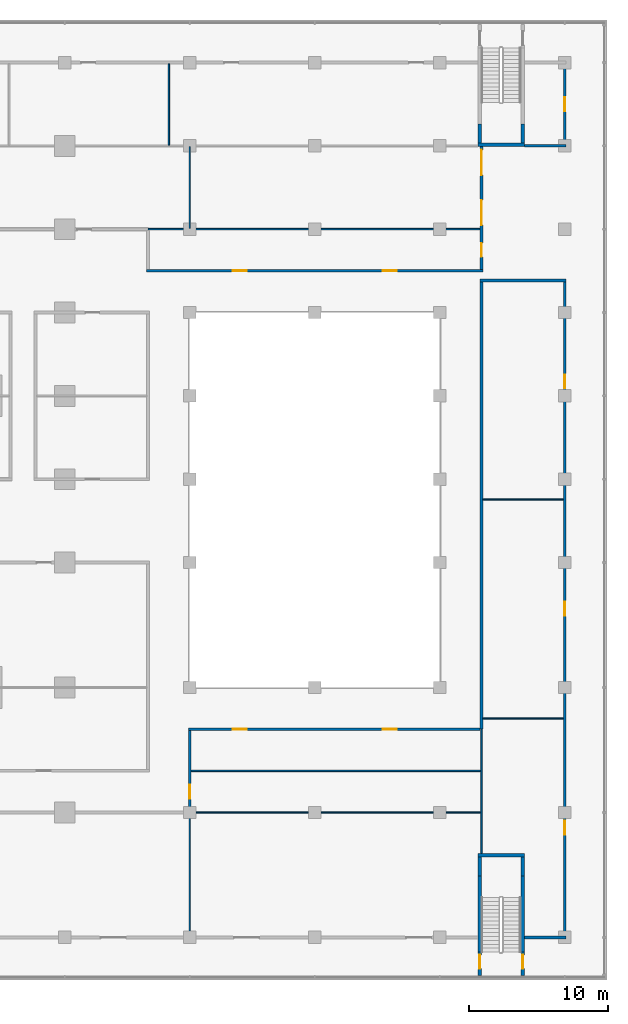
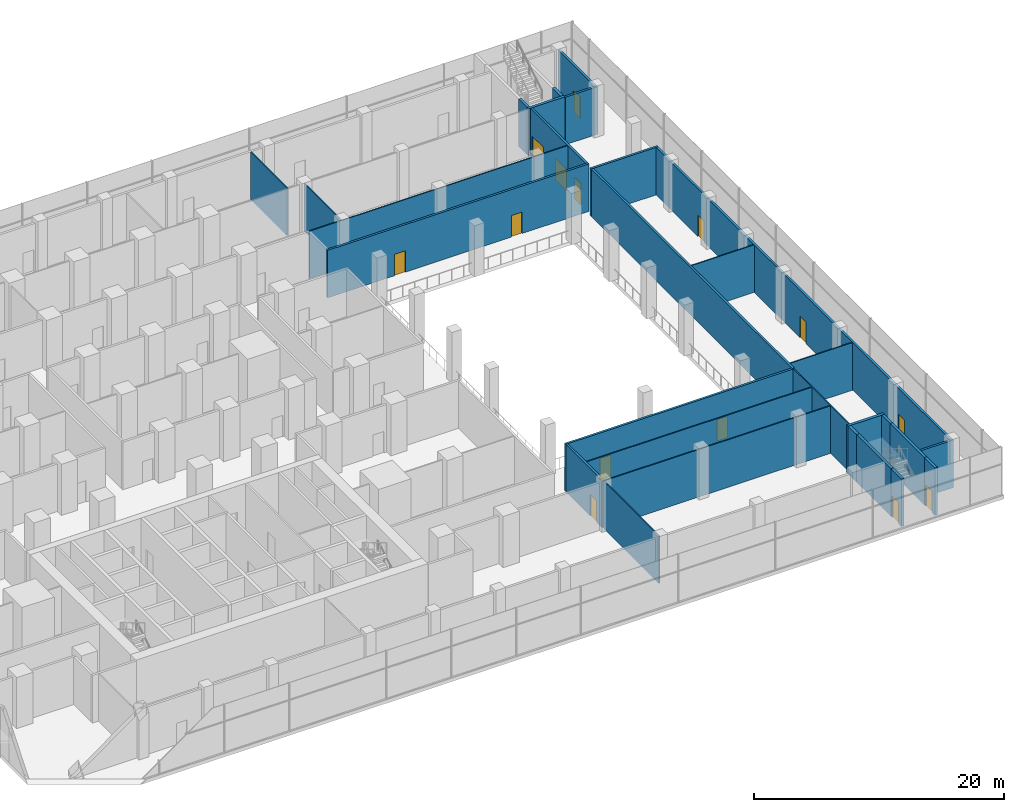
# One storey, part 17 of 22: 29 walls, 14 doors, 14 openings.
"""IFC4 building model written with IfcOpenShell, lengths in metres."""

from ifc_helpers import new_model, si_unit, direction, frame, frame_2d, origin, place, context, subcontext, project, spatial, rectangle, extrude, material, layer, layer_set, type_object, element, fill, save


model = new_model("IFC4")

# Units and contexts
model_context = context("Model", 3, precision=1e-05, world=origin(), true_north=direction((0.0, 1.0)))
body_context = subcontext(model_context, "Body", "Model", "MODEL_VIEW")
ifc_project = project(units=[si_unit("LENGTHUNIT", "METRE"), si_unit("AREAUNIT", "SQUARE_METRE"), si_unit("VOLUMEUNIT", "CUBIC_METRE"), si_unit("PLANEANGLEUNIT", "RADIAN"), si_unit("MASSUNIT", "GRAM", prefix="KILO")], contexts=[model_context])

# Site, building, storey
site_placement = place(None, origin())
site = spatial("IfcSite", under=ifc_project, at=site_placement, CompositionType="ELEMENT")
building_placement = place(site_placement, origin())
building = spatial("IfcBuilding", under=site, at=building_placement, Name="Finial Court Residences", CompositionType="ELEMENT")
storey_placement = place(building_placement, frame((0.0, 0.0, 18.5)))
storey = spatial("IfcBuildingStorey", under=building, at=storey_placement, Name="L03", CompositionType="ELEMENT", Elevation=18.5)

# Wall
ifc_material_1 = material(Name="Gypsum board")
ifc_layer_1 = layer(ifc_material_1, 0.02490234375)
ifc_material_2 = material(Name="Acoustic mineral wool in double frame")
ifc_layer_2 = layer(ifc_material_2, 0.14990234375)
ifc_layer_3 = layer(ifc_material_1, 0.02490234375)
ifc_layer_set_1 = layer_set([ifc_layer_1, ifc_layer_2, ifc_layer_3], Name="Corridor wall 200, 1 hour")
wall_type_1 = type_object("IfcWallType", Name="Corridor wall 200, 1 hour", PredefinedType="PARTITIONING", material=ifc_layer_set_1)
wall_1_placement = place(storey_placement, frame((55.60009765625, -31.5, 0.0), z_axis=(0.0, 0.0, 1.0), x_axis=(1.0, 0.0, 0.0)))
element("IfcWall", 1, at=wall_1_placement, inside=storey, type_object=wall_type_1, Name="Partition L03-002", PredefinedType="PARTITIONING", context=body_context, shape_type="SweptSolid", body=[
    extrude(rectangle(XDim=3.0, YDim=0.199951171875, at=frame_2d((1.5, 0.0))), origin(), (0.0, 0.0, 1.0), 4.64990234375),
])

# Wall, openings, doors
wall_2_placement = place(storey_placement, frame((31.39990234375, -16.5, 0.0), z_axis=(0.0, 0.0, 1.0), x_axis=(1.0, 0.0, 0.0)))
wall_2 = element("IfcWall", 2, at=wall_2_placement, inside=storey, type_object=wall_type_1, Name="Partition L03-011", PredefinedType="PARTITIONING", context=body_context, shape_type="SweptSolid", body=[
    extrude(rectangle(XDim=21.0, YDim=0.199951171875, at=frame_2d((10.5, 0.0))), origin(), (0.0, 0.0, 1.0), 4.64990234375),
])
opening_1_placement = place(wall_2_placement, frame((3.199951171875, 0.0, 0.0)))
opening_1 = element("IfcOpeningElement", 3, at=opening_1_placement, cuts=wall_2, Name="Opening L03-D011", PredefinedType="OPENING", context=body_context, shape_type="SweptSolid", body=[
    extrude(rectangle(XDim=1.0, YDim=2.10009765625, at=frame_2d((0.5, 1.050048828125))), frame((0.0, 0.10986328125, 0.0), z_axis=(0.0, -1.0, 0.0), x_axis=(1.0, 0.0, 0.0)), (0.0, 0.0, 1.0), 0.219970703125),
])
opening_2_placement = place(wall_2_placement, frame((14.0, 0.0, 0.0)))
opening_2 = element("IfcOpeningElement", 4, at=opening_2_placement, cuts=wall_2, Name="Opening L03-D012", PredefinedType="OPENING", context=body_context, shape_type="SweptSolid", body=[
    extrude(rectangle(XDim=1.0, YDim=2.10009765625, at=frame_2d((0.5, 1.050048828125))), frame((0.0, 0.10986328125, 0.0), z_axis=(0.0, -1.0, 0.0), x_axis=(1.0, 0.0, 0.0)), (0.0, 0.0, 1.0), 0.219970703125),
])
ifc_material_3 = material(Name="Timber door leaf in hollow metal frame", Category="wood")
door_type_1 = type_object("IfcDoorType", Name="Fire door set 1000 x 2100, 30 minutes", OperationType="SINGLE_SWING_LEFT", PredefinedType="DOOR", material=ifc_material_3)
door_1_placement = place(opening_1_placement, origin())
door_1 = element("IfcDoor", 5, at=door_1_placement, inside=storey, type_object=door_type_1, Name="Door L03-D011", OperationType="SINGLE_SWING_LEFT", OverallHeight=2.10009765625, OverallWidth=1.0, PredefinedType="DOOR", context=body_context, shape_type="SweptSolid", body=[
    extrude(rectangle(XDim=1.0, YDim=2.10009765625, at=frame_2d((0.5, 1.050048828125))), frame((0.0, 0.02490234375, 0.0), z_axis=(0.0, -1.0, 0.0), x_axis=(1.0, 0.0, 0.0)), (0.0, 0.0, 1.0), 0.050048828125),
])
fill(opening_1, door_1)
door_2_placement = place(opening_2_placement, origin())
door_2 = element("IfcDoor", 6, at=door_2_placement, inside=storey, type_object=door_type_1, Name="Door L03-D012", OperationType="SINGLE_SWING_RIGHT", OverallHeight=2.10009765625, OverallWidth=1.0, PredefinedType="DOOR", context=body_context, shape_type="SweptSolid", body=[
    extrude(rectangle(XDim=1.0, YDim=2.10009765625, at=frame_2d((0.5, 1.050048828125))), frame((0.0, 0.02490234375, 0.0), z_axis=(0.0, -1.0, 0.0), x_axis=(1.0, 0.0, 0.0)), (0.0, 0.0, 1.0), 0.050048828125),
])
fill(opening_2, door_2)

# Wall
wall_3_placement = place(storey_placement, frame((52.39990234375, 15.800048828125, 0.0), z_axis=(0.0, 0.0, 1.0), x_axis=(1.0, 0.0, 0.0)))
element("IfcWall", 7, at=wall_3_placement, inside=storey, type_object=wall_type_1, Name="Partition L03-030", PredefinedType="PARTITIONING", context=body_context, shape_type="SweptSolid", body=[
    extrude(rectangle(XDim=6.2001953125, YDim=0.199951171875, at=frame_2d((3.10009765625, 0.0))), origin(), (0.0, 0.0, 1.0), 4.64990234375),
])

# Wall, openings, doors
wall_4_placement = place(storey_placement, frame((28.39990234375, 16.5, 0.0), z_axis=(0.0, 0.0, 1.0), x_axis=(1.0, 0.0, 0.0)))
wall_4 = element("IfcWall", 8, at=wall_4_placement, inside=storey, type_object=wall_type_1, Name="Partition L03-031", PredefinedType="PARTITIONING", context=body_context, shape_type="SweptSolid", body=[
    extrude(rectangle(XDim=24.2001953125, YDim=0.199951171875, at=frame_2d((12.10009765625, 0.0))), origin(), (0.0, 0.0, 1.0), 4.64990234375),
])
opening_3_placement = place(wall_4_placement, frame((6.199951171875, 0.0, 0.0)))
opening_3 = element("IfcOpeningElement", 9, at=opening_3_placement, cuts=wall_4, Name="Opening L03-D028", PredefinedType="OPENING", context=body_context, shape_type="SweptSolid", body=[
    extrude(rectangle(XDim=1.0, YDim=2.10009765625, at=frame_2d((0.5, 1.050048828125))), frame((0.0, 0.10986328125, 0.0), z_axis=(0.0, -1.0, 0.0), x_axis=(1.0, 0.0, 0.0)), (0.0, 0.0, 1.0), 0.219970703125),
])
opening_4_placement = place(wall_4_placement, frame((17.0, 0.0, 0.0)))
opening_4 = element("IfcOpeningElement", 10, at=opening_4_placement, cuts=wall_4, Name="Opening L03-D029", PredefinedType="OPENING", context=body_context, shape_type="SweptSolid", body=[
    extrude(rectangle(XDim=1.0, YDim=2.10009765625, at=frame_2d((0.5, 1.050048828125))), frame((0.0, 0.10986328125, 0.0), z_axis=(0.0, -1.0, 0.0), x_axis=(1.0, 0.0, 0.0)), (0.0, 0.0, 1.0), 0.219970703125),
])
door_3_placement = place(opening_3_placement, origin())
door_3 = element("IfcDoor", 11, at=door_3_placement, inside=storey, type_object=door_type_1, Name="Door L03-D028", OperationType="SINGLE_SWING_RIGHT", OverallHeight=2.10009765625, OverallWidth=1.0, PredefinedType="DOOR", context=body_context, shape_type="SweptSolid", body=[
    extrude(rectangle(XDim=1.0, YDim=2.10009765625, at=frame_2d((0.5, 1.050048828125))), frame((0.0, 0.02490234375, 0.0), z_axis=(0.0, -1.0, 0.0), x_axis=(1.0, 0.0, 0.0)), (0.0, 0.0, 1.0), 0.050048828125),
])
fill(opening_3, door_3)
door_4_placement = place(opening_4_placement, origin())
door_4 = element("IfcDoor", 12, at=door_4_placement, inside=storey, type_object=door_type_1, Name="Door L03-D029", OperationType="SINGLE_SWING_LEFT", OverallHeight=2.10009765625, OverallWidth=1.0, PredefinedType="DOOR", context=body_context, shape_type="SweptSolid", body=[
    extrude(rectangle(XDim=1.0, YDim=2.10009765625, at=frame_2d((0.5, 1.050048828125))), frame((0.0, 0.02490234375, 0.0), z_axis=(0.0, -1.0, 0.0), x_axis=(1.0, 0.0, 0.0)), (0.0, 0.0, 1.0), 0.050048828125),
])
fill(opening_4, door_4)

# Wall
wall_5_placement = place(storey_placement, frame((55.60009765625, 25.5, 0.0), z_axis=(0.0, 0.0, 1.0), x_axis=(1.0, 0.0, 0.0)))
element("IfcWall", 13, at=wall_5_placement, inside=storey, type_object=wall_type_1, Name="Partition L03-034", PredefinedType="PARTITIONING", context=body_context, shape_type="SweptSolid", body=[
    extrude(rectangle(XDim=3.0, YDim=0.199951171875, at=frame_2d((1.5, 0.0))), origin(), (0.0, 0.0, 1.0), 4.64990234375),
])

# Wall, opening, door
wall_6_placement = place(storey_placement, frame((31.5, -22.39990234375, 0.0), z_axis=(0.0, 0.0, 1.0), x_axis=(0.0, 1.0, 0.0)))
wall_6 = element("IfcWall", 14, at=wall_6_placement, inside=storey, type_object=wall_type_1, Name="Partition L03-066", PredefinedType="PARTITIONING", context=body_context, shape_type="SweptSolid", body=[
    extrude(rectangle(XDim=5.7998046875, YDim=0.199951171875, at=frame_2d((2.89990234375, 0.0))), origin(), (0.0, 0.0, 1.0), 4.64990234375),
])
opening_5_placement = place(wall_6_placement, frame((0.89990234375, 0.0, 0.0)))
opening_5 = element("IfcOpeningElement", 15, at=opening_5_placement, cuts=wall_6, Name="Opening L03-D043", PredefinedType="OPENING", context=body_context, shape_type="SweptSolid", body=[
    extrude(rectangle(XDim=1.0, YDim=2.10009765625, at=frame_2d((0.5, 1.050048828125))), frame((0.0, 0.10986328125, 0.0), z_axis=(0.0, -1.0, 0.0), x_axis=(1.0, 0.0, 0.0)), (0.0, 0.0, 1.0), 0.219970703125),
])
door_5_placement = place(opening_5_placement, origin())
door_5 = element("IfcDoor", 16, at=door_5_placement, inside=storey, type_object=door_type_1, Name="Door L03-D043", OperationType="SINGLE_SWING_LEFT", OverallHeight=2.10009765625, OverallWidth=1.0, PredefinedType="DOOR", context=body_context, shape_type="SweptSolid", body=[
    extrude(rectangle(XDim=1.0, YDim=2.10009765625, at=frame_2d((0.5, 1.050048828125))), frame((0.0, 0.02490234375, 0.0), z_axis=(0.0, -1.0, 0.0), x_axis=(1.0, 0.0, 0.0)), (0.0, 0.0, 1.0), 0.050048828125),
])
fill(opening_5, door_5)

# Wall
wall_7_placement = place(storey_placement, frame((52.5, -16.5, 0.0), z_axis=(0.0, 0.0, 1.0), x_axis=(0.0, 1.0, 0.0)))
element("IfcWall", 17, at=wall_7_placement, inside=storey, type_object=wall_type_1, Name="Partition L03-069", PredefinedType="PARTITIONING", context=body_context, shape_type="SweptSolid", body=[
    extrude(rectangle(XDim=32.199951171875, YDim=0.199951171875, at=frame_2d((16.10009765625, 0.0))), origin(), (0.0, 0.0, 1.0), 4.64990234375),
])

# Wall, openings, doors
wall_8_placement = place(storey_placement, frame((52.5, 16.60009765625, 0.0), z_axis=(0.0, 0.0, 1.0), x_axis=(0.0, 1.0, 0.0)))
wall_8 = element("IfcWall", 18, at=wall_8_placement, inside=storey, type_object=wall_type_1, Name="Partition L03-070", PredefinedType="PARTITIONING", context=body_context, shape_type="SweptSolid", body=[
    extrude(rectangle(XDim=8.869873046875, YDim=0.199951171875, at=frame_2d((4.43505859375, 0.0))), origin(), (0.0, 0.0, 1.0), 4.64990234375),
])
opening_6_placement = place(wall_8_placement, frame((0.89990234375, 0.0, 0.0)))
opening_6 = element("IfcOpeningElement", 19, at=opening_6_placement, cuts=wall_8, Name="Opening L03-D044", PredefinedType="OPENING", context=body_context, shape_type="SweptSolid", body=[
    extrude(rectangle(XDim=1.0, YDim=2.10009765625, at=frame_2d((0.5, 1.050048828125))), frame((0.0, 0.10986328125, 0.0), z_axis=(0.0, -1.0, 0.0), x_axis=(1.0, 0.0, 0.0)), (0.0, 0.0, 1.0), 0.219970703125),
])
opening_7_placement = place(wall_8_placement, frame((3.199951171875, 0.0, 0.0)))
opening_7 = element("IfcOpeningElement", 20, at=opening_7_placement, cuts=wall_8, Name="Opening L03-D045", PredefinedType="OPENING", context=body_context, shape_type="SweptSolid", body=[
    extrude(rectangle(XDim=1.800048828125, YDim=2.10009765625, at=frame_2d((0.89990234375, 1.050048828125))), frame((0.0, 0.10986328125, 0.0), z_axis=(0.0, -1.0, 0.0), x_axis=(1.0, 0.0, 0.0)), (0.0, 0.0, 1.0), 0.219970703125),
])
opening_8_placement = place(wall_8_placement, frame((6.800048828125, 0.0, 0.0)))
opening_8 = element("IfcOpeningElement", 21, at=opening_8_placement, cuts=wall_8, Name="Opening L03-D046", PredefinedType="OPENING", context=body_context, shape_type="SweptSolid", body=[
    extrude(rectangle(XDim=1.800048828125, YDim=2.10009765625, at=frame_2d((0.89990234375, 1.050048828125))), frame((0.0, 0.10986328125, 0.0), z_axis=(0.0, -1.0, 0.0), x_axis=(1.0, 0.0, 0.0)), (0.0, 0.0, 1.0), 0.219970703125),
])
door_6_placement = place(opening_6_placement, origin())
door_6 = element("IfcDoor", 22, at=door_6_placement, inside=storey, type_object=door_type_1, Name="Door L03-D044", OperationType="SINGLE_SWING_RIGHT", OverallHeight=2.10009765625, OverallWidth=1.0, PredefinedType="DOOR", context=body_context, shape_type="SweptSolid", body=[
    extrude(rectangle(XDim=1.0, YDim=2.10009765625, at=frame_2d((0.5, 1.050048828125))), frame((0.0, 0.02490234375, 0.0), z_axis=(0.0, -1.0, 0.0), x_axis=(1.0, 0.0, 0.0)), (0.0, 0.0, 1.0), 0.050048828125),
])
fill(opening_6, door_6)
door_type_2 = type_object("IfcDoorType", Name="Fire door set 1800 x 2100, 30 minutes", OperationType="DOUBLE_DOOR_SINGLE_SWING", PredefinedType="DOOR", material=ifc_material_3)
door_7_placement = place(opening_7_placement, origin())
door_7 = element("IfcDoor", 23, at=door_7_placement, inside=storey, type_object=door_type_2, Name="Door L03-D045", OperationType="DOUBLE_DOOR_SINGLE_SWING", OverallHeight=2.10009765625, OverallWidth=1.800048828125, PredefinedType="DOOR", context=body_context, shape_type="SweptSolid", body=[
    extrude(rectangle(XDim=1.800048828125, YDim=2.10009765625, at=frame_2d((0.89990234375, 1.050048828125))), frame((0.0, 0.02490234375, 0.0), z_axis=(0.0, -1.0, 0.0), x_axis=(1.0, 0.0, 0.0)), (0.0, 0.0, 1.0), 0.050048828125),
])
fill(opening_7, door_7)
door_8_placement = place(opening_8_placement, origin())
door_8 = element("IfcDoor", 24, at=door_8_placement, inside=storey, type_object=door_type_2, Name="Door L03-D046", OperationType="DOUBLE_DOOR_SINGLE_SWING", OverallHeight=2.10009765625, OverallWidth=1.800048828125, PredefinedType="DOOR", context=body_context, shape_type="SweptSolid", body=[
    extrude(rectangle(XDim=1.800048828125, YDim=2.10009765625, at=frame_2d((0.89990234375, 1.050048828125))), frame((0.0, 0.02490234375, 0.0), z_axis=(0.0, -1.0, 0.0), x_axis=(1.0, 0.0, 0.0)), (0.0, 0.0, 1.0), 0.050048828125),
])
fill(opening_8, door_8)

wall_9_placement = place(storey_placement, frame((58.5, -31.39990234375, 0.0), z_axis=(0.0, 0.0, 1.0), x_axis=(0.0, 1.0, 0.0)))
wall_9 = element("IfcWall", 25, at=wall_9_placement, inside=storey, type_object=wall_type_1, Name="Partition L03-072", PredefinedType="PARTITIONING", context=body_context, shape_type="SweptSolid", body=[
    extrude(rectangle(XDim=47.099853515625, YDim=0.199951171875, at=frame_2d((23.5498046875, 0.0))), origin(), (0.0, 0.0, 1.0), 4.64990234375),
])
opening_9_placement = place(wall_9_placement, frame((7.300048828125, 0.0, 0.0)))
opening_9 = element("IfcOpeningElement", 26, at=opening_9_placement, cuts=wall_9, Name="Opening L03-D047", PredefinedType="OPENING", context=body_context, shape_type="SweptSolid", body=[
    extrude(rectangle(XDim=1.0, YDim=2.10009765625, at=frame_2d((0.5, 1.050048828125))), frame((0.0, 0.10986328125, 0.0), z_axis=(0.0, -1.0, 0.0), x_axis=(1.0, 0.0, 0.0)), (0.0, 0.0, 1.0), 0.219970703125),
])
opening_10_placement = place(wall_9_placement, frame((23.06689453125, 0.0, 0.0)))
opening_10 = element("IfcOpeningElement", 27, at=opening_10_placement, cuts=wall_9, Name="Opening L03-D048", PredefinedType="OPENING", context=body_context, shape_type="SweptSolid", body=[
    extrude(rectangle(XDim=1.0, YDim=2.10009765625, at=frame_2d((0.5, 1.050048828125))), frame((0.0, 0.10986328125, 0.0), z_axis=(0.0, -1.0, 0.0), x_axis=(1.0, 0.0, 0.0)), (0.0, 0.0, 1.0), 0.219970703125),
])
opening_11_placement = place(wall_9_placement, frame((39.43310546875, 0.0, 0.0)))
opening_11 = element("IfcOpeningElement", 28, at=opening_11_placement, cuts=wall_9, Name="Opening L03-D049", PredefinedType="OPENING", context=body_context, shape_type="SweptSolid", body=[
    extrude(rectangle(XDim=1.0, YDim=2.10009765625, at=frame_2d((0.5, 1.050048828125))), frame((0.0, 0.10986328125, 0.0), z_axis=(0.0, -1.0, 0.0), x_axis=(1.0, 0.0, 0.0)), (0.0, 0.0, 1.0), 0.219970703125),
])
door_9_placement = place(opening_9_placement, origin())
door_9 = element("IfcDoor", 29, at=door_9_placement, inside=storey, type_object=door_type_1, Name="Door L03-D047", OperationType="SINGLE_SWING_RIGHT", OverallHeight=2.10009765625, OverallWidth=1.0, PredefinedType="DOOR", context=body_context, shape_type="SweptSolid", body=[
    extrude(rectangle(XDim=1.0, YDim=2.10009765625, at=frame_2d((0.5, 1.050048828125))), frame((0.0, 0.02490234375, 0.0), z_axis=(0.0, -1.0, 0.0), x_axis=(1.0, 0.0, 0.0)), (0.0, 0.0, 1.0), 0.050048828125),
])
fill(opening_9, door_9)
door_10_placement = place(opening_10_placement, origin())
door_10 = element("IfcDoor", 30, at=door_10_placement, inside=storey, type_object=door_type_1, Name="Door L03-D048", OperationType="SINGLE_SWING_RIGHT", OverallHeight=2.10009765625, OverallWidth=1.0, PredefinedType="DOOR", context=body_context, shape_type="SweptSolid", body=[
    extrude(rectangle(XDim=1.0, YDim=2.10009765625, at=frame_2d((0.5, 1.050048828125))), frame((0.0, 0.02490234375, 0.0), z_axis=(0.0, -1.0, 0.0), x_axis=(1.0, 0.0, 0.0)), (0.0, 0.0, 1.0), 0.050048828125),
])
fill(opening_10, door_10)
door_11_placement = place(opening_11_placement, origin())
door_11 = element("IfcDoor", 31, at=door_11_placement, inside=storey, type_object=door_type_1, Name="Door L03-D049", OperationType="SINGLE_SWING_LEFT", OverallHeight=2.10009765625, OverallWidth=1.0, PredefinedType="DOOR", context=body_context, shape_type="SweptSolid", body=[
    extrude(rectangle(XDim=1.0, YDim=2.10009765625, at=frame_2d((0.5, 1.050048828125))), frame((0.0, 0.02490234375, 0.0), z_axis=(0.0, -1.0, 0.0), x_axis=(1.0, 0.0, 0.0)), (0.0, 0.0, 1.0), 0.050048828125),
])
fill(opening_11, door_11)

# Wall, opening, door
wall_10_placement = place(storey_placement, frame((58.5, 25.60009765625, 0.0), z_axis=(0.0, 0.0, 1.0), x_axis=(0.0, 1.0, 0.0)))
wall_10 = element("IfcWall", 32, at=wall_10_placement, inside=storey, type_object=wall_type_1, Name="Partition L03-073", PredefinedType="PARTITIONING", context=body_context, shape_type="SweptSolid", body=[
    extrude(rectangle(XDim=5.7998046875, YDim=0.199951171875, at=frame_2d((2.89990234375, 0.0))), origin(), (0.0, 0.0, 1.0), 4.64990234375),
])
opening_12_placement = place(wall_10_placement, frame((2.39990234375, 0.0, 0.0)))
opening_12 = element("IfcOpeningElement", 33, at=opening_12_placement, cuts=wall_10, Name="Opening L03-D050", PredefinedType="OPENING", context=body_context, shape_type="SweptSolid", body=[
    extrude(rectangle(XDim=1.0, YDim=2.10009765625, at=frame_2d((0.5, 1.050048828125))), frame((0.0, 0.10986328125, 0.0), z_axis=(0.0, -1.0, 0.0), x_axis=(1.0, 0.0, 0.0)), (0.0, 0.0, 1.0), 0.219970703125),
])
door_12_placement = place(opening_12_placement, origin())
door_12 = element("IfcDoor", 34, at=door_12_placement, inside=storey, type_object=door_type_1, Name="Door L03-D050", OperationType="SINGLE_SWING_LEFT", OverallHeight=2.10009765625, OverallWidth=1.0, PredefinedType="DOOR", context=body_context, shape_type="SweptSolid", body=[
    extrude(rectangle(XDim=1.0, YDim=2.10009765625, at=frame_2d((0.5, 1.050048828125))), frame((0.0, 0.02490234375, 0.0), z_axis=(0.0, -1.0, 0.0), x_axis=(1.0, 0.0, 0.0)), (0.0, 0.0, 1.0), 0.050048828125),
])
fill(opening_12, door_12)

# Walls
ifc_layer_4 = layer(ifc_material_1, 0.012451171875)
ifc_material_4 = material(Name="Mineral wool in light-gauge frame")
ifc_layer_5 = layer(ifc_material_4, 0.074951171875)
ifc_layer_6 = layer(ifc_material_1, 0.012451171875)
ifc_layer_set_2 = layer_set([ifc_layer_4, ifc_layer_5, ifc_layer_6], Name="Gypsum board partition 100")
wall_type_2 = type_object("IfcWallType", Name="Gypsum board partition 100", PredefinedType="PARTITIONING", material=ifc_layer_set_2)
wall_11_placement = place(storey_placement, frame((31.5, -22.5, 0.0), z_axis=(0.0, 0.0, 1.0), x_axis=(1.0, 0.0, 0.0)))
element("IfcWall", 35, at=wall_11_placement, inside=storey, type_object=wall_type_2, Name="Partition L03-007", PredefinedType="PARTITIONING", context=body_context, shape_type="SweptSolid", body=[
    extrude(rectangle(XDim=20.949951171875, YDim=0.10009765625, at=frame_2d((10.47509765625, 0.0))), origin(), (0.0, 0.0, 1.0), 4.64990234375),
])
wall_12_placement = place(storey_placement, frame((31.60009765625, -19.5, 0.0), z_axis=(0.0, 0.0, 1.0), x_axis=(1.0, 0.0, 0.0)))
element("IfcWall", 36, at=wall_12_placement, inside=storey, type_object=wall_type_2, Name="Partition L03-010", PredefinedType="PARTITIONING", context=body_context, shape_type="SweptSolid", body=[
    extrude(rectangle(XDim=20.849853515625, YDim=0.10009765625, at=frame_2d((10.4248046875, 0.0))), origin(), (0.0, 0.0, 1.0), 4.64990234375),
])
for number, where, z_axis, x_axis, name in (
    (37, (52.60009765625, -15.73291015625, 0.0), (0.0, 0.0, 1.0), (1.0, 0.0, 0.0), "Partition L03-012"),
    (38, (52.60009765625, 0.032958984375, 0.0), (0.0, 0.0, 1.0), (1.0, 0.0, 0.0), "Partition L03-017"),
):
    element("IfcWall", number, at=place(storey_placement, frame(where, z_axis=z_axis, x_axis=x_axis)), inside=storey, type_object=wall_type_2, Name=name, PredefinedType="PARTITIONING", context=body_context, shape_type="SweptSolid", body=[
        extrude(rectangle(XDim=5.7998046875, YDim=0.10009765625, at=frame_2d((2.89990234375, 0.0))), origin(), (0.0, 0.0, 1.0), 4.64990234375),
    ])
wall_13_placement = place(storey_placement, frame((28.5, 19.5, 0.0), z_axis=(0.0, 0.0, 1.0), x_axis=(1.0, 0.0, 0.0)))
element("IfcWall", 39, at=wall_13_placement, inside=storey, type_object=wall_type_2, Name="Partition L03-033", PredefinedType="PARTITIONING", context=body_context, shape_type="SweptSolid", body=[
    extrude(rectangle(XDim=23.89990234375, YDim=0.10009765625, at=frame_2d((11.949951171875, 0.0))), origin(), (0.0, 0.0, 1.0), 4.64990234375),
])
wall_14_placement = place(storey_placement, frame((30.0, 25.550048828125, 0.0), z_axis=(0.0, 0.0, 1.0), x_axis=(0.0, 1.0, 0.0)))
element("IfcWall", 40, at=wall_14_placement, inside=storey, type_object=wall_type_2, Name="Partition L03-065", PredefinedType="PARTITIONING", context=body_context, shape_type="SweptSolid", body=[
    extrude(rectangle(XDim=5.849853515625, YDim=0.10009765625, at=frame_2d((2.9248046875, 0.0))), origin(), (0.0, 0.0, 1.0), 4.64990234375),
])
wall_15_placement = place(storey_placement, frame((31.5, -31.39990234375, 0.0), z_axis=(0.0, 0.0, 1.0), x_axis=(0.0, 1.0, 0.0)))
element("IfcWall", 41, at=wall_15_placement, inside=storey, type_object=wall_type_2, Name="Partition L03-067", PredefinedType="PARTITIONING", context=body_context, shape_type="SweptSolid", body=[
    extrude(rectangle(XDim=8.7998046875, YDim=0.10009765625, at=frame_2d((4.39990234375, 0.0))), origin(), (0.0, 0.0, 1.0), 4.64990234375),
])
wall_16_placement = place(storey_placement, frame((31.5, 19.550048828125, 0.0), z_axis=(0.0, 0.0, 1.0), x_axis=(0.0, 1.0, 0.0)))
element("IfcWall", 42, at=wall_16_placement, inside=storey, type_object=wall_type_2, Name="Partition L03-068", PredefinedType="PARTITIONING", context=body_context, shape_type="SweptSolid", body=[
    extrude(rectangle(XDim=5.89990234375, YDim=0.10009765625, at=frame_2d((2.949951171875, 0.0))), origin(), (0.0, 0.0, 1.0), 4.64990234375),
])
wall_17_placement = place(storey_placement, frame((52.5, -25.469970703125, 0.0), z_axis=(0.0, 0.0, 1.0), x_axis=(0.0, 1.0, 0.0)))
element("IfcWall", 43, at=wall_17_placement, inside=storey, type_object=wall_type_2, Name="Partition L03-071", PredefinedType="PARTITIONING", context=body_context, shape_type="SweptSolid", body=[
    extrude(rectangle(XDim=8.969970703125, YDim=0.10009765625, at=frame_2d((4.48486328125, 0.0))), origin(), (0.0, 0.0, 1.0), 4.64990234375),
])

# Wall, opening, door
ifc_material_5 = material(Name="Concrete C50/60", Category="concrete")
ifc_layer_7 = layer(ifc_material_5, 0.25)
ifc_layer_set_3 = layer_set([ifc_layer_7], Name="Stair enclosure wall 250 Concrete C50/60")
wall_type_3 = type_object("IfcWallType", Name="Stair enclosure wall 250 Concrete C50/60", PredefinedType="SHEAR", material=ifc_layer_set_3)
wall_18_placement = place(storey_placement, frame((52.375, -32.550048828125, 0.0), z_axis=(0.0, 0.0, 1.0), x_axis=(0.0, -1.0, 0.0)))
wall_18 = element("IfcWall", 44, at=wall_18_placement, inside=storey, type_object=wall_type_3, Name="Exit Stair 3 enclosure wall L03-W1", PredefinedType="SHEAR", context=body_context, shape_type="SweptSolid", body=[
    extrude(rectangle(XDim=1.68994140625, YDim=0.25, at=frame_2d((0.844970703125, 0.0))), origin(), (0.0, 0.0, 1.0), 4.64990234375),
])
opening_13_placement = place(wall_18_placement, frame((0.199951171875, 0.0, 0.0)))
opening_13 = element("IfcOpeningElement", 45, at=opening_13_placement, cuts=wall_18, Name="Opening L03-S3", PredefinedType="OPENING", context=body_context, shape_type="SweptSolid", body=[
    extrude(rectangle(XDim=1.0, YDim=2.10009765625, at=frame_2d((0.5, 1.050048828125))), frame((0.0, 0.135009765625, 0.0), z_axis=(0.0, -1.0, 0.0), x_axis=(1.0, 0.0, 0.0)), (0.0, 0.0, 1.0), 0.27001953125),
])
ifc_material_6 = material(Name="Steel fire door", Category="steel")
door_type_3 = type_object("IfcDoorType", Name="Stair door 1000 x 2100 EI 90", OperationType="NOTDEFINED", PredefinedType="DOOR", material=ifc_material_6)
door_13_placement = place(opening_13_placement, origin())
door_13 = element("IfcDoor", 46, at=door_13_placement, inside=storey, type_object=door_type_3, Name="Exit Stair 3 door L03", OperationType="SINGLE_SWING_RIGHT", OverallHeight=2.10009765625, OverallWidth=1.0, PredefinedType="DOOR", context=body_context, shape_type="SweptSolid", body=[
    extrude(rectangle(XDim=1.0, YDim=2.10009765625, at=frame_2d((0.5, 1.050048828125))), frame((0.0, 0.02490234375, 0.0), z_axis=(0.0, -1.0, 0.0), x_axis=(1.0, 0.0, 0.0)), (0.0, 0.0, 1.0), 0.050048828125),
])
fill(opening_13, door_13)

# Walls
wall_19_placement = place(storey_placement, frame((52.375, -32.550048828125, 0.0), z_axis=(0.0, 0.0, 1.0), x_axis=(0.0, 1.0, 0.0)))
element("IfcWall", 47, at=wall_19_placement, inside=storey, type_object=wall_type_3, Name="Exit Stair 3 enclosure wall L03-W2", PredefinedType="SHEAR", context=body_context, shape_type="SweptSolid", body=[
    extrude(rectangle(XDim=5.47998046875, YDim=0.25, at=frame_2d((2.739990234375, 0.0))), origin(), (0.0, 0.0, 1.0), 4.64990234375),
])
wall_20_placement = place(storey_placement, frame((52.375, -27.070068359375, 0.0), z_axis=(0.0, 0.0, 1.0), x_axis=(0.0, 1.0, 0.0)))
element("IfcWall", 48, at=wall_20_placement, inside=storey, type_object=wall_type_3, Name="Exit Stair 3 enclosure wall L03-W3", PredefinedType="SHEAR", context=body_context, shape_type="SweptSolid", body=[
    extrude(rectangle(XDim=1.35009765625, YDim=0.25, at=frame_2d((0.675048828125, 0.0))), origin(), (0.0, 0.0, 1.0), 4.64990234375),
])

# Wall, opening, door
wall_21_placement = place(storey_placement, frame((55.47509765625, -34.239990234375, 0.0), z_axis=(0.0, 0.0, 1.0), x_axis=(0.0, 1.0, 0.0)))
wall_21 = element("IfcWall", 49, at=wall_21_placement, inside=storey, type_object=wall_type_3, Name="Exit Stair 3 enclosure wall L03-E1", PredefinedType="SHEAR", context=body_context, shape_type="SweptSolid", body=[
    extrude(rectangle(XDim=1.68994140625, YDim=0.25, at=frame_2d((0.844970703125, 0.0))), origin(), (0.0, 0.0, 1.0), 4.64990234375),
])
opening_14_placement = place(wall_21_placement, frame((0.489990234375, 0.0, 0.0)))
opening_14 = element("IfcOpeningElement", 50, at=opening_14_placement, cuts=wall_21, Name="Opening L03-S3E", PredefinedType="OPENING", context=body_context, shape_type="SweptSolid", body=[
    extrude(rectangle(XDim=1.0, YDim=2.10009765625, at=frame_2d((0.5, 1.050048828125))), frame((0.0, 0.135009765625, 0.0), z_axis=(0.0, -1.0, 0.0), x_axis=(1.0, 0.0, 0.0)), (0.0, 0.0, 1.0), 0.27001953125),
])
door_14_placement = place(opening_14_placement, origin())
door_14 = element("IfcDoor", 51, at=door_14_placement, inside=storey, type_object=door_type_3, Name="Exit Stair 3 east door L03", OperationType="SINGLE_SWING_LEFT", OverallHeight=2.10009765625, OverallWidth=1.0, PredefinedType="DOOR", context=body_context, shape_type="SweptSolid", body=[
    extrude(rectangle(XDim=1.0, YDim=2.10009765625, at=frame_2d((0.5, 1.050048828125))), frame((0.0, 0.02490234375, 0.0), z_axis=(0.0, -1.0, 0.0), x_axis=(1.0, 0.0, 0.0)), (0.0, 0.0, 1.0), 0.050048828125),
])
fill(opening_14, door_14)

# Walls
wall_22_placement = place(storey_placement, frame((55.47509765625, -32.550048828125, 0.0), z_axis=(0.0, 0.0, 1.0), x_axis=(0.0, 1.0, 0.0)))
element("IfcWall", 52, at=wall_22_placement, inside=storey, type_object=wall_type_3, Name="Exit Stair 3 enclosure wall L03-E2", PredefinedType="SHEAR", context=body_context, shape_type="SweptSolid", body=[
    extrude(rectangle(XDim=5.47998046875, YDim=0.25, at=frame_2d((2.739990234375, 0.0))), origin(), (0.0, 0.0, 1.0), 4.64990234375),
])
wall_23_placement = place(storey_placement, frame((55.47509765625, -27.070068359375, 0.0), z_axis=(0.0, 0.0, 1.0), x_axis=(0.0, 1.0, 0.0)))
element("IfcWall", 53, at=wall_23_placement, inside=storey, type_object=wall_type_3, Name="Exit Stair 3 enclosure wall L03-E3", PredefinedType="SHEAR", context=body_context, shape_type="SweptSolid", body=[
    extrude(rectangle(XDim=1.35009765625, YDim=0.25, at=frame_2d((0.675048828125, 0.0))), origin(), (0.0, 0.0, 1.0), 4.64990234375),
])
wall_24_placement = place(storey_placement, frame((52.25, -25.594970703125, 0.0), z_axis=(0.0, 0.0, 1.0), x_axis=(1.0, 0.0, 0.0)))
element("IfcWall", 54, at=wall_24_placement, inside=storey, type_object=wall_type_3, Name="Exit Stair 3 enclosure wall L03-N", PredefinedType="SHEAR", context=body_context, shape_type="SweptSolid", body=[
    extrude(rectangle(XDim=3.35009765625, YDim=0.25, at=frame_2d((1.675048828125, 0.0))), origin(), (0.0, 0.0, 1.0), 4.64990234375),
])
for number, where, z_axis, x_axis, name in (
    (55, (52.375, 25.719970703125, 0.0), (0.0, 0.0, 1.0), (0.0, 1.0, 0.0), "Exit Stair 5 enclosure wall L03-W3"),
    (56, (55.47509765625, 25.719970703125, 0.0), (0.0, 0.0, 1.0), (0.0, 1.0, 0.0), "Exit Stair 5 enclosure wall L03-E3"),
):
    element("IfcWall", number, at=place(storey_placement, frame(where, z_axis=z_axis, x_axis=x_axis)), inside=storey, type_object=wall_type_3, Name=name, PredefinedType="SHEAR", context=body_context, shape_type="SweptSolid", body=[
        extrude(rectangle(XDim=1.35009765625, YDim=0.25, at=frame_2d((0.675048828125, 0.0))), origin(), (0.0, 0.0, 1.0), 4.64990234375),
    ])
wall_25_placement = place(storey_placement, frame((52.25, 25.594970703125, 0.0), z_axis=(0.0, 0.0, 1.0), x_axis=(1.0, 0.0, 0.0)))
element("IfcWall", 57, at=wall_25_placement, inside=storey, type_object=wall_type_3, Name="Exit Stair 5 enclosure wall L03-N", PredefinedType="SHEAR", context=body_context, shape_type="SweptSolid", body=[
    extrude(rectangle(XDim=3.35009765625, YDim=0.25, at=frame_2d((1.675048828125, 0.0))), origin(), (0.0, 0.0, 1.0), 4.64990234375),
])

save(model, "model.ifc")
